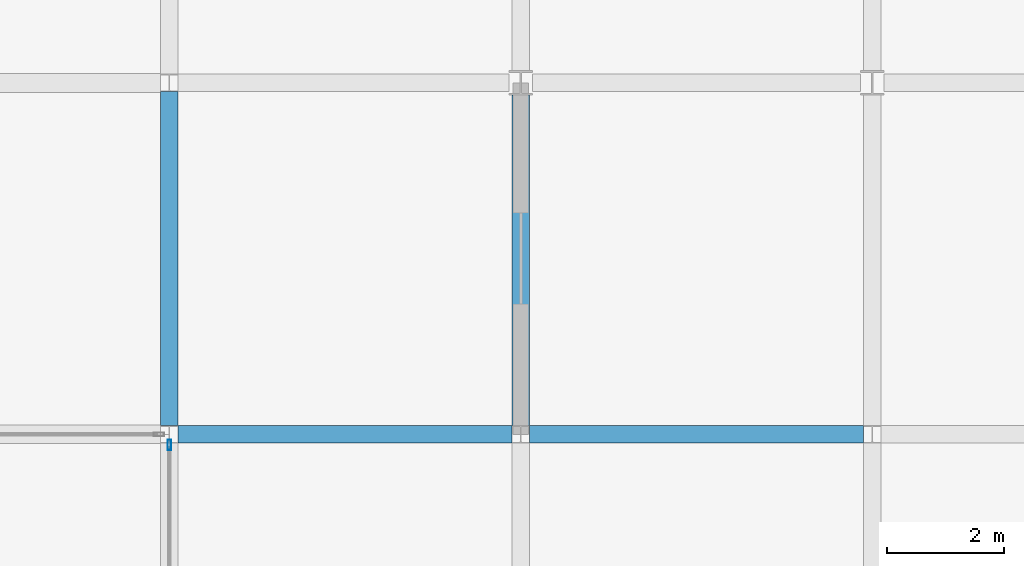
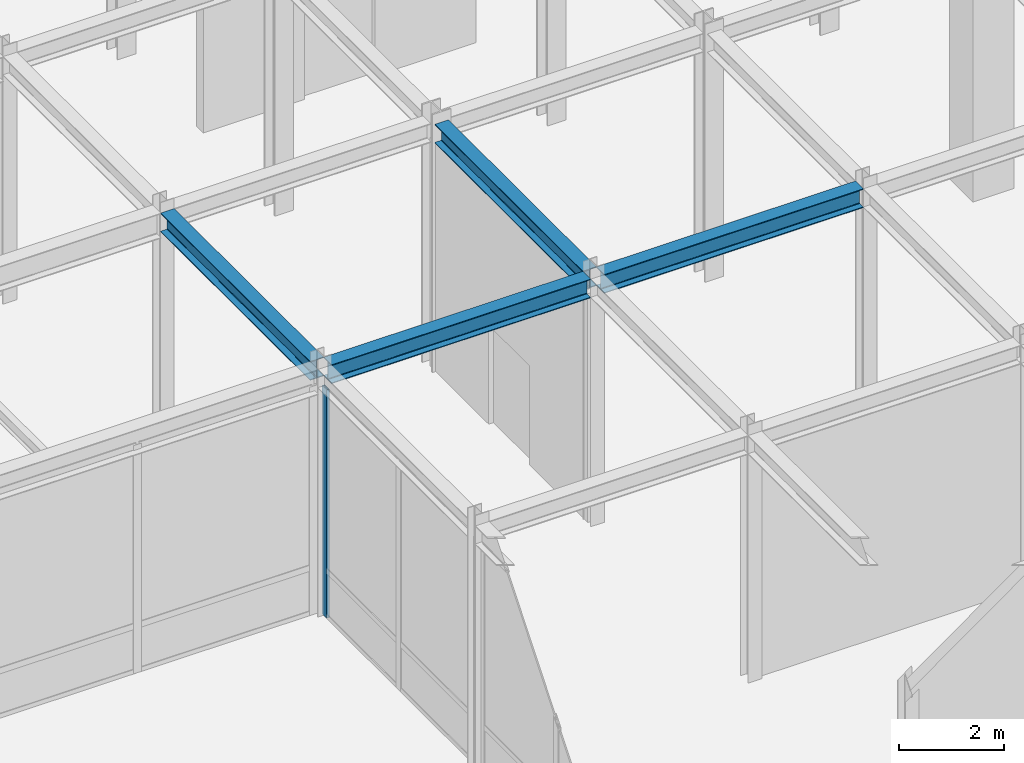
# One storey, part 74 of 108: 4 beams, 1 member, 1 element without a shape of its own.
"""IFC4 building model written with IfcOpenShell, lengths in metres."""

from ifc_helpers import new_model, si_unit, direction, frame, origin, origin_2d, place, context, subcontext, project, spatial, hollow_rectangle, i_section, extrude, material, layer, layer_set, material_profile, profile_set, type_object, element, aggregate, save


model = new_model("IFC4")

# Units and contexts
model_context = context("Model", 3, precision=1e-05, world=origin(), true_north=direction((0.0, 1.0)))
body_context = subcontext(model_context, "Body", "Model", "MODEL_VIEW")
ifc_project = project(units=[si_unit("LENGTHUNIT", "METRE"), si_unit("AREAUNIT", "SQUARE_METRE"), si_unit("VOLUMEUNIT", "CUBIC_METRE"), si_unit("PLANEANGLEUNIT", "RADIAN"), si_unit("MASSUNIT", "GRAM", prefix="KILO")], contexts=[model_context])

# Site, building, storey
site_placement = place(None, origin())
site = spatial("IfcSite", under=ifc_project, at=site_placement, CompositionType="ELEMENT")
building_placement = place(site_placement, origin())
building = spatial("IfcBuilding", under=site, at=building_placement, Name="Zlatovratsky Civic Hall", CompositionType="ELEMENT")
storey_placement = place(building_placement, frame((0.0, 0.0, 6.0)))
storey = spatial("IfcBuildingStorey", under=building, at=storey_placement, Name="L02", CompositionType="ELEMENT", Elevation=6.0)

# Beams
ifc_material_1 = material(Name="Steel S355", Category="steel")
ifc_material_profile_1 = material_profile(ifc_material_1, i_section(OverallWidth=0.300048828125, OverallDepth=0.43994140625, WebThickness=0.010986328125, FlangeThickness=0.01806640625, FilletRadius=0.02197265625, at=origin_2d()), Name="45Sh1")
ifc_profile_set_1 = profile_set([ifc_material_profile_1], Name="Steel S355")
beam_type = type_object("IfcBeamType", Name="Beam_TowerLow_45Sh1", PredefinedType="BEAM", material=ifc_profile_set_1)
for number, where, z_axis, x_axis, name in (
    (1, (48.14990234375, 66.0, 5.5400390625), (1.0, 0.0, 0.0), (0.0, 1.0, 0.0), "BM-1874"),
    (2, (54.14990234375, 66.0, 5.5400390625), (1.0, 0.0, 0.0), (0.0, 1.0, 0.0), "BM-1875"),
    (3, (48.0, 66.14990234375, 5.5400390625), (0.0, 1.0, 0.0), (-1.0, 0.0, 0.0), "BM-2139"),
):
    element("IfcBeam", number, at=place(storey_placement, frame(where, z_axis=z_axis, x_axis=x_axis)), inside=storey, type_object=beam_type, Name=name, PredefinedType="BEAM", context=body_context, shape_type="SweptSolid", body=[
        extrude(i_section(OverallWidth=0.300048828125, OverallDepth=0.43994140625, WebThickness=0.010986328125, FlangeThickness=0.01806640625, FilletRadius=0.02197265625, at=origin_2d()), origin(), (0.0, 0.0, 1.0), 5.7001953125),
    ])
beam_placement = place(storey_placement, frame((54.0, 66.14990234375, 5.5400390625), z_axis=(0.0, 1.0, 0.0), x_axis=(-1.0, 0.0, 0.0)))
element("IfcBeam", 4, at=beam_placement, inside=storey, type_object=beam_type, Name="BM-2156", PredefinedType="BEAM", context=body_context, shape_type="SweptSolid", body=[
    extrude(i_section(OverallWidth=0.300048828125, OverallDepth=0.43994140625, WebThickness=0.010986328125, FlangeThickness=0.01806640625, FilletRadius=0.02197265625, at=origin_2d()), origin(), (0.0, 0.0, 1.0), 5.64111328125),
])

# Curtain wall, member
ifc_material_2 = material(Name="Anodised bronze aluminium", Category="aluminium")
ifc_layer = layer(ifc_material_2, 0.159912109375)
ifc_layer_set = layer_set([ifc_layer], Name="Anodised bronze aluminium")
curtain_wall_type = type_object("IfcCurtainWallType", Name="CurtainWall_Bronze_5700x5310_06", PredefinedType="NOTDEFINED", material=ifc_layer_set)
curtain_wall_placement = place(storey_placement, origin())
curtain_wall = element("IfcCurtainWall", 5, at=curtain_wall_placement, inside=storey, type_object=curtain_wall_type, Name="CW-026", PredefinedType="NOTDEFINED")
ifc_material_profile_2 = material_profile(ifc_material_2, hollow_rectangle(XDim=0.06005859375, YDim=0.179931640625, WallThickness=0.00390625, at=origin_2d()), Name="ALU 60x180x4")
ifc_profile_set_2 = profile_set([ifc_material_profile_2], Name="Anodised bronze aluminium")
member_type = type_object("IfcMemberType", Name="CW_Mullion_60x180", PredefinedType="MULLION", material=ifc_profile_set_2)
member_placement = place(storey_placement, frame((48.0, 65.820068359375, 0.0), z_axis=(0.0, 0.0, 1.0), x_axis=(-1.0, 0.0, 0.0)))
member = element("IfcMember", 6, at=member_placement, type_object=member_type, Name="CW-06 mullion 3", PredefinedType="MULLION", context=body_context, shape_type="SweptSolid", body=[
    extrude(hollow_rectangle(XDim=0.06005859375, YDim=0.179931640625, WallThickness=0.00390625, at=origin_2d()), origin(), (0.0, 0.0, 1.0), 5.31005859375),
])
aggregate(curtain_wall, [member])

save(model, "model.ifc")
